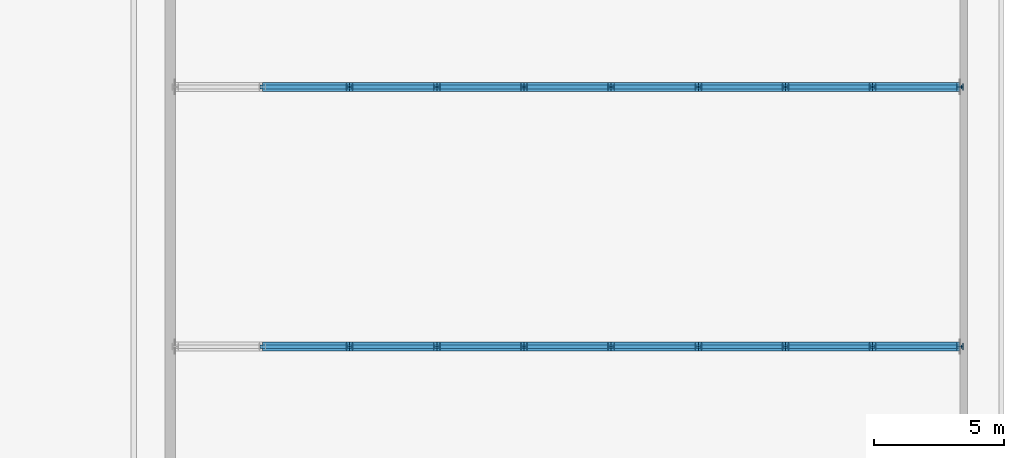
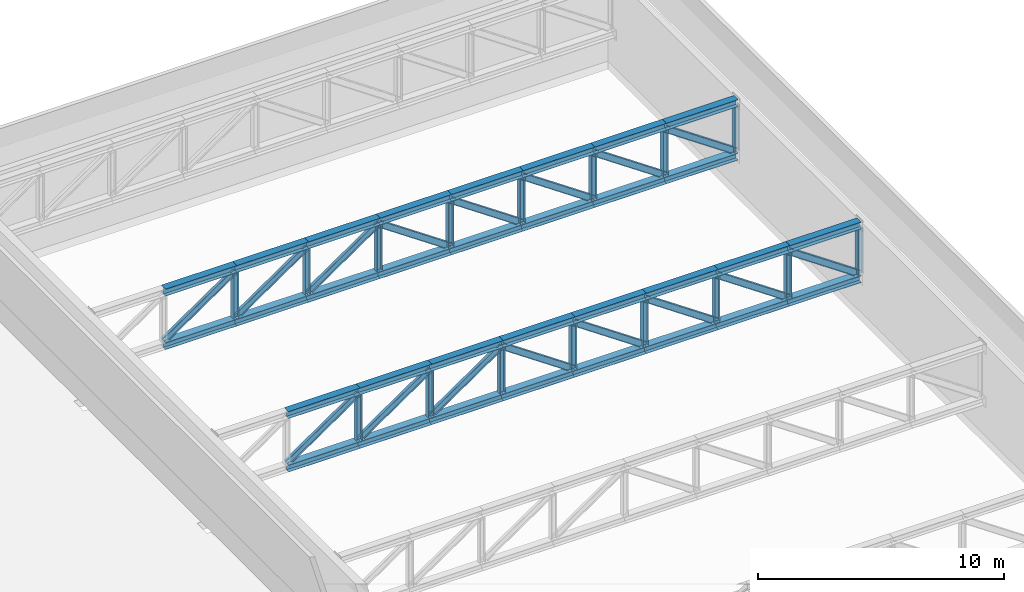
# One storey, part 12 of 31: 64 members.
"""IFC4 building model written with IfcOpenShell, lengths in metres."""

from ifc_helpers import new_model, si_unit, direction, frame, origin, origin_2d, place, context, subcontext, project, spatial, i_section, extrude, material, material_profile, profile_set, type_object, element, save


model = new_model("IFC4")

# Units and contexts
model_context = context("Model", 3, precision=1e-05, world=origin(), true_north=direction((0.0, 1.0)))
body_context = subcontext(model_context, "Body", "Model", "MODEL_VIEW")
ifc_project = project(units=[si_unit("LENGTHUNIT", "METRE"), si_unit("AREAUNIT", "SQUARE_METRE"), si_unit("VOLUMEUNIT", "CUBIC_METRE"), si_unit("PLANEANGLEUNIT", "RADIAN"), si_unit("MASSUNIT", "GRAM", prefix="KILO")], contexts=[model_context])

# Site, building, storey
site_placement = place(None, origin())
site = spatial("IfcSite", under=ifc_project, at=site_placement, CompositionType="ELEMENT")
building_placement = place(site_placement, origin())
building = spatial("IfcBuilding", under=site, at=building_placement, Name="Jabali Bay Hotel Tower and Convention Centre", CompositionType="ELEMENT")
storey_placement = place(building_placement, frame((0.0, 0.0, 25.39990234375)))
storey = spatial("IfcBuildingStorey", under=building, at=storey_placement, Name="L04", CompositionType="ELEMENT", Elevation=25.39990234375)

# Members
ifc_material = material(Name="Steel Q355B", Category="steel")
ifc_material_profile_1 = material_profile(ifc_material, i_section(OverallWidth=0.35009765625, OverallDepth=0.35009765625, WebThickness=0.011962890625, FlangeThickness=0.01904296875, at=origin_2d()), Name="HW350x350x12x19")
ifc_profile_set_1 = profile_set([ifc_material_profile_1], Name="Steel Q355B")
member_type_1 = type_object("IfcMemberType", Name="CC Roof Truss Chord HW350x350x12x19", PredefinedType="CHORD", material=ifc_profile_set_1)
for number, where, z_axis, x_axis, name in (
    (1, (224.255615234375, 90.0, 4.3251953125), (1.0, 0.0, 0.0), (0.0, 1.0, 0.0), "CC roof truss P3 top chord 2"),
    (2, (224.255615234375, 90.0, 1.675048828125), (1.0, 0.0, 0.0), (0.0, 1.0, 0.0), "CC roof truss P3 bottom chord 2"),
    (3, (227.611083984375, 90.0, 4.3251953125), (1.0, 0.0, 0.0), (0.0, 1.0, 0.0), "CC roof truss P3 top chord 3"),
    (4, (227.611083984375, 90.0, 1.675048828125), (1.0, 0.0, 0.0), (0.0, 1.0, 0.0), "CC roof truss P3 bottom chord 3"),
):
    element("IfcMember", number, at=place(storey_placement, frame(where, z_axis=z_axis, x_axis=x_axis)), inside=storey, type_object=member_type_1, Name=name, PredefinedType="CHORD", context=body_context, shape_type="SweptSolid", body=[
        extrude(i_section(OverallWidth=0.35009765625, OverallDepth=0.35009765625, WebThickness=0.011962890625, FlangeThickness=0.01904296875, at=origin_2d()), origin(), (0.0, 0.0, 1.0), 3.35546875),
    ])
for number, where, z_axis, x_axis, name in (
    (5, (230.966552734375, 90.0, 4.3251953125), (1.0, 0.0, 0.0), (0.0, 1.0, 0.0), "CC roof truss P3 top chord 4"),
    (6, (230.966552734375, 90.0, 1.675048828125), (1.0, 0.0, 0.0), (0.0, 1.0, 0.0), "CC roof truss P3 bottom chord 4"),
):
    element("IfcMember", number, at=place(storey_placement, frame(where, z_axis=z_axis, x_axis=x_axis)), inside=storey, type_object=member_type_1, Name=name, PredefinedType="CHORD", context=body_context, shape_type="SweptSolid", body=[
        extrude(i_section(OverallWidth=0.35009765625, OverallDepth=0.35009765625, WebThickness=0.011962890625, FlangeThickness=0.01904296875, at=origin_2d()), origin(), (0.0, 0.0, 1.0), 3.355712890625),
    ])
for number, where, z_axis, x_axis, name in (
    (7, (234.322265625, 90.0, 4.3251953125), (1.0, 0.0, 0.0), (0.0, 1.0, 0.0), "CC roof truss P3 top chord 5"),
    (8, (234.322265625, 90.0, 1.675048828125), (1.0, 0.0, 0.0), (0.0, 1.0, 0.0), "CC roof truss P3 bottom chord 5"),
):
    element("IfcMember", number, at=place(storey_placement, frame(where, z_axis=z_axis, x_axis=x_axis)), inside=storey, type_object=member_type_1, Name=name, PredefinedType="CHORD", context=body_context, shape_type="SweptSolid", body=[
        extrude(i_section(OverallWidth=0.35009765625, OverallDepth=0.35009765625, WebThickness=0.011962890625, FlangeThickness=0.01904296875, at=origin_2d()), origin(), (0.0, 0.0, 1.0), 3.35546875),
    ])
for number, where, z_axis, x_axis, name in (
    (9, (237.677734375, 90.0, 4.3251953125), (1.0, 0.0, 0.0), (0.0, 1.0, 0.0), "CC roof truss P3 top chord 6"),
    (10, (237.677734375, 90.0, 1.675048828125), (1.0, 0.0, 0.0), (0.0, 1.0, 0.0), "CC roof truss P3 bottom chord 6"),
):
    element("IfcMember", number, at=place(storey_placement, frame(where, z_axis=z_axis, x_axis=x_axis)), inside=storey, type_object=member_type_1, Name=name, PredefinedType="CHORD", context=body_context, shape_type="SweptSolid", body=[
        extrude(i_section(OverallWidth=0.35009765625, OverallDepth=0.35009765625, WebThickness=0.011962890625, FlangeThickness=0.01904296875, at=origin_2d()), origin(), (0.0, 0.0, 1.0), 3.355712890625),
    ])
for number, where, z_axis, x_axis, name in (
    (11, (241.033447265625, 90.0, 4.3251953125), (1.0, 0.0, 0.0), (0.0, 1.0, 0.0), "CC roof truss P3 top chord 7"),
    (12, (241.033447265625, 90.0, 1.675048828125), (1.0, 0.0, 0.0), (0.0, 1.0, 0.0), "CC roof truss P3 bottom chord 7"),
    (13, (244.388916015625, 90.0, 4.3251953125), (1.0, 0.0, 0.0), (0.0, 1.0, 0.0), "CC roof truss P3 top chord 8"),
    (14, (244.388916015625, 90.0, 1.675048828125), (1.0, 0.0, 0.0), (0.0, 1.0, 0.0), "CC roof truss P3 bottom chord 8"),
):
    element("IfcMember", number, at=place(storey_placement, frame(where, z_axis=z_axis, x_axis=x_axis)), inside=storey, type_object=member_type_1, Name=name, PredefinedType="CHORD", context=body_context, shape_type="SweptSolid", body=[
        extrude(i_section(OverallWidth=0.35009765625, OverallDepth=0.35009765625, WebThickness=0.011962890625, FlangeThickness=0.01904296875, at=origin_2d()), origin(), (0.0, 0.0, 1.0), 3.35546875),
    ])
for number, where, z_axis, x_axis, name in (
    (15, (247.744384765625, 90.0, 4.3251953125), (1.0, 0.0, 0.0), (0.0, 1.0, 0.0), "CC roof truss P3 top chord 9"),
    (16, (247.744384765625, 90.0, 1.675048828125), (1.0, 0.0, 0.0), (0.0, 1.0, 0.0), "CC roof truss P3 bottom chord 9"),
):
    element("IfcMember", number, at=place(storey_placement, frame(where, z_axis=z_axis, x_axis=x_axis)), inside=storey, type_object=member_type_1, Name=name, PredefinedType="CHORD", context=body_context, shape_type="SweptSolid", body=[
        extrude(i_section(OverallWidth=0.35009765625, OverallDepth=0.35009765625, WebThickness=0.011962890625, FlangeThickness=0.01904296875, at=origin_2d()), origin(), (0.0, 0.0, 1.0), 3.355712890625),
    ])
for number, where, z_axis, x_axis, name in (
    (17, (224.255615234375, 100.0, 4.3251953125), (1.0, 0.0, 0.0), (0.0, 1.0, 0.0), "CC roof truss P4 top chord 2"),
    (18, (224.255615234375, 100.0, 1.675048828125), (1.0, 0.0, 0.0), (0.0, 1.0, 0.0), "CC roof truss P4 bottom chord 2"),
    (19, (227.611083984375, 100.0, 4.3251953125), (1.0, 0.0, 0.0), (0.0, 1.0, 0.0), "CC roof truss P4 top chord 3"),
    (20, (227.611083984375, 100.0, 1.675048828125), (1.0, 0.0, 0.0), (0.0, 1.0, 0.0), "CC roof truss P4 bottom chord 3"),
):
    element("IfcMember", number, at=place(storey_placement, frame(where, z_axis=z_axis, x_axis=x_axis)), inside=storey, type_object=member_type_1, Name=name, PredefinedType="CHORD", context=body_context, shape_type="SweptSolid", body=[
        extrude(i_section(OverallWidth=0.35009765625, OverallDepth=0.35009765625, WebThickness=0.011962890625, FlangeThickness=0.01904296875, at=origin_2d()), origin(), (0.0, 0.0, 1.0), 3.35546875),
    ])
for number, where, z_axis, x_axis, name in (
    (21, (230.966552734375, 100.0, 4.3251953125), (1.0, 0.0, 0.0), (0.0, 1.0, 0.0), "CC roof truss P4 top chord 4"),
    (22, (230.966552734375, 100.0, 1.675048828125), (1.0, 0.0, 0.0), (0.0, 1.0, 0.0), "CC roof truss P4 bottom chord 4"),
):
    element("IfcMember", number, at=place(storey_placement, frame(where, z_axis=z_axis, x_axis=x_axis)), inside=storey, type_object=member_type_1, Name=name, PredefinedType="CHORD", context=body_context, shape_type="SweptSolid", body=[
        extrude(i_section(OverallWidth=0.35009765625, OverallDepth=0.35009765625, WebThickness=0.011962890625, FlangeThickness=0.01904296875, at=origin_2d()), origin(), (0.0, 0.0, 1.0), 3.355712890625),
    ])
for number, where, z_axis, x_axis, name in (
    (23, (234.322265625, 100.0, 4.3251953125), (1.0, 0.0, 0.0), (0.0, 1.0, 0.0), "CC roof truss P4 top chord 5"),
    (24, (234.322265625, 100.0, 1.675048828125), (1.0, 0.0, 0.0), (0.0, 1.0, 0.0), "CC roof truss P4 bottom chord 5"),
):
    element("IfcMember", number, at=place(storey_placement, frame(where, z_axis=z_axis, x_axis=x_axis)), inside=storey, type_object=member_type_1, Name=name, PredefinedType="CHORD", context=body_context, shape_type="SweptSolid", body=[
        extrude(i_section(OverallWidth=0.35009765625, OverallDepth=0.35009765625, WebThickness=0.011962890625, FlangeThickness=0.01904296875, at=origin_2d()), origin(), (0.0, 0.0, 1.0), 3.35546875),
    ])
for number, where, z_axis, x_axis, name in (
    (25, (237.677734375, 100.0, 4.3251953125), (1.0, 0.0, 0.0), (0.0, 1.0, 0.0), "CC roof truss P4 top chord 6"),
    (26, (237.677734375, 100.0, 1.675048828125), (1.0, 0.0, 0.0), (0.0, 1.0, 0.0), "CC roof truss P4 bottom chord 6"),
):
    element("IfcMember", number, at=place(storey_placement, frame(where, z_axis=z_axis, x_axis=x_axis)), inside=storey, type_object=member_type_1, Name=name, PredefinedType="CHORD", context=body_context, shape_type="SweptSolid", body=[
        extrude(i_section(OverallWidth=0.35009765625, OverallDepth=0.35009765625, WebThickness=0.011962890625, FlangeThickness=0.01904296875, at=origin_2d()), origin(), (0.0, 0.0, 1.0), 3.355712890625),
    ])
for number, where, z_axis, x_axis, name in (
    (27, (241.033447265625, 100.0, 4.3251953125), (1.0, 0.0, 0.0), (0.0, 1.0, 0.0), "CC roof truss P4 top chord 7"),
    (28, (241.033447265625, 100.0, 1.675048828125), (1.0, 0.0, 0.0), (0.0, 1.0, 0.0), "CC roof truss P4 bottom chord 7"),
    (29, (244.388916015625, 100.0, 4.3251953125), (1.0, 0.0, 0.0), (0.0, 1.0, 0.0), "CC roof truss P4 top chord 8"),
    (30, (244.388916015625, 100.0, 1.675048828125), (1.0, 0.0, 0.0), (0.0, 1.0, 0.0), "CC roof truss P4 bottom chord 8"),
):
    element("IfcMember", number, at=place(storey_placement, frame(where, z_axis=z_axis, x_axis=x_axis)), inside=storey, type_object=member_type_1, Name=name, PredefinedType="CHORD", context=body_context, shape_type="SweptSolid", body=[
        extrude(i_section(OverallWidth=0.35009765625, OverallDepth=0.35009765625, WebThickness=0.011962890625, FlangeThickness=0.01904296875, at=origin_2d()), origin(), (0.0, 0.0, 1.0), 3.35546875),
    ])
for number, where, z_axis, x_axis, name in (
    (31, (247.744384765625, 100.0, 4.3251953125), (1.0, 0.0, 0.0), (0.0, 1.0, 0.0), "CC roof truss P4 top chord 9"),
    (32, (247.744384765625, 100.0, 1.675048828125), (1.0, 0.0, 0.0), (0.0, 1.0, 0.0), "CC roof truss P4 bottom chord 9"),
):
    element("IfcMember", number, at=place(storey_placement, frame(where, z_axis=z_axis, x_axis=x_axis)), inside=storey, type_object=member_type_1, Name=name, PredefinedType="CHORD", context=body_context, shape_type="SweptSolid", body=[
        extrude(i_section(OverallWidth=0.35009765625, OverallDepth=0.35009765625, WebThickness=0.011962890625, FlangeThickness=0.01904296875, at=origin_2d()), origin(), (0.0, 0.0, 1.0), 3.355712890625),
    ])
ifc_material_profile_2 = material_profile(ifc_material, i_section(OverallWidth=0.14990234375, OverallDepth=0.300048828125, WebThickness=0.006591796875, FlangeThickness=0.009033203125, at=origin_2d()), Name="HN300x150x6.5x9")
ifc_profile_set_2 = profile_set([ifc_material_profile_2], Name="Steel Q355B")
member_type_2 = type_object("IfcMemberType", Name="CC Roof Truss Diagonal HN300x150x6.5x9", PredefinedType="BRACE", material=ifc_profile_set_2)
for number, where, z_axis, x_axis, name in (
    (33, (224.255615234375, 90.0, 1.85009765625), (0.8248256078, 0.0, 0.565387227232), (0.0, 1.0, 0.0), "CC roof truss P3 diagonal 2"),
    (34, (227.611083984375, 90.0, 1.85009765625), (0.8248256078, 0.0, 0.565387227232), (0.0, 1.0, 0.0), "CC roof truss P3 diagonal 3"),
):
    element("IfcMember", number, at=place(storey_placement, frame(where, z_axis=z_axis, x_axis=x_axis)), inside=storey, type_object=member_type_2, Name=name, PredefinedType="BRACE", context=body_context, shape_type="SweptSolid", body=[
        extrude(i_section(OverallWidth=0.14990234375, OverallDepth=0.300048828125, WebThickness=0.006591796875, FlangeThickness=0.009033203125, at=origin_2d()), origin(), (0.0, 0.0, 1.0), 4.068115234375),
    ])
member_1_placement = place(storey_placement, frame((230.966552734375, 90.0, 1.85009765625), z_axis=(0.824844790455, 0.0, 0.565359241243), x_axis=(0.0, 1.0, 0.0)))
element("IfcMember", 35, at=member_1_placement, inside=storey, type_object=member_type_2, Name="CC roof truss P3 diagonal 4", PredefinedType="BRACE", context=body_context, shape_type="SweptSolid", body=[
    extrude(i_section(OverallWidth=0.14990234375, OverallDepth=0.300048828125, WebThickness=0.006591796875, FlangeThickness=0.009033203125, at=origin_2d()), origin(), (0.0, 0.0, 1.0), 4.068359375),
])
member_2_placement = place(storey_placement, frame((237.677734375, 90.0, 1.85009765625), z_axis=(-0.8248256078, 0.0, 0.565387227232), x_axis=(0.0, -1.0, 0.0)))
element("IfcMember", 36, at=member_2_placement, inside=storey, type_object=member_type_2, Name="CC roof truss P3 diagonal 5", PredefinedType="BRACE", context=body_context, shape_type="SweptSolid", body=[
    extrude(i_section(OverallWidth=0.14990234375, OverallDepth=0.300048828125, WebThickness=0.006591796875, FlangeThickness=0.009033203125, at=origin_2d()), origin(), (0.0, 0.0, 1.0), 4.068115234375),
])
member_3_placement = place(storey_placement, frame((241.033447265625, 90.0, 1.85009765625), z_axis=(-0.824844790455, 0.0, 0.565359241243), x_axis=(0.0, -1.0, 0.0)))
element("IfcMember", 37, at=member_3_placement, inside=storey, type_object=member_type_2, Name="CC roof truss P3 diagonal 6", PredefinedType="BRACE", context=body_context, shape_type="SweptSolid", body=[
    extrude(i_section(OverallWidth=0.14990234375, OverallDepth=0.300048828125, WebThickness=0.006591796875, FlangeThickness=0.009033203125, at=origin_2d()), origin(), (0.0, 0.0, 1.0), 4.068359375),
])
for number, where, z_axis, x_axis, name in (
    (38, (244.388916015625, 90.0, 1.85009765625), (-0.8248256078, 0.0, 0.565387227232), (0.0, -1.0, 0.0), "CC roof truss P3 diagonal 7"),
    (39, (247.744384765625, 90.0, 1.85009765625), (-0.8248256078, 0.0, 0.565387227232), (0.0, -1.0, 0.0), "CC roof truss P3 diagonal 8"),
):
    element("IfcMember", number, at=place(storey_placement, frame(where, z_axis=z_axis, x_axis=x_axis)), inside=storey, type_object=member_type_2, Name=name, PredefinedType="BRACE", context=body_context, shape_type="SweptSolid", body=[
        extrude(i_section(OverallWidth=0.14990234375, OverallDepth=0.300048828125, WebThickness=0.006591796875, FlangeThickness=0.009033203125, at=origin_2d()), origin(), (0.0, 0.0, 1.0), 4.068115234375),
    ])
member_4_placement = place(storey_placement, frame((251.10009765625, 90.0, 1.85009765625), z_axis=(-0.824844790455, 0.0, 0.565359241243), x_axis=(0.0, -1.0, 0.0)))
element("IfcMember", 40, at=member_4_placement, inside=storey, type_object=member_type_2, Name="CC roof truss P3 diagonal 9", PredefinedType="BRACE", context=body_context, shape_type="SweptSolid", body=[
    extrude(i_section(OverallWidth=0.14990234375, OverallDepth=0.300048828125, WebThickness=0.006591796875, FlangeThickness=0.009033203125, at=origin_2d()), origin(), (0.0, 0.0, 1.0), 4.068359375),
])
for number, where, z_axis, x_axis, name in (
    (41, (224.255615234375, 100.0, 1.85009765625), (0.8248256078, 0.0, 0.565387227232), (0.0, 1.0, 0.0), "CC roof truss P4 diagonal 2"),
    (42, (227.611083984375, 100.0, 1.85009765625), (0.8248256078, 0.0, 0.565387227232), (0.0, 1.0, 0.0), "CC roof truss P4 diagonal 3"),
):
    element("IfcMember", number, at=place(storey_placement, frame(where, z_axis=z_axis, x_axis=x_axis)), inside=storey, type_object=member_type_2, Name=name, PredefinedType="BRACE", context=body_context, shape_type="SweptSolid", body=[
        extrude(i_section(OverallWidth=0.14990234375, OverallDepth=0.300048828125, WebThickness=0.006591796875, FlangeThickness=0.009033203125, at=origin_2d()), origin(), (0.0, 0.0, 1.0), 4.068115234375),
    ])
member_5_placement = place(storey_placement, frame((230.966552734375, 100.0, 1.85009765625), z_axis=(0.824844790455, 0.0, 0.565359241243), x_axis=(0.0, 1.0, 0.0)))
element("IfcMember", 43, at=member_5_placement, inside=storey, type_object=member_type_2, Name="CC roof truss P4 diagonal 4", PredefinedType="BRACE", context=body_context, shape_type="SweptSolid", body=[
    extrude(i_section(OverallWidth=0.14990234375, OverallDepth=0.300048828125, WebThickness=0.006591796875, FlangeThickness=0.009033203125, at=origin_2d()), origin(), (0.0, 0.0, 1.0), 4.068359375),
])
member_6_placement = place(storey_placement, frame((237.677734375, 100.0, 1.85009765625), z_axis=(-0.8248256078, 0.0, 0.565387227232), x_axis=(0.0, -1.0, 0.0)))
element("IfcMember", 44, at=member_6_placement, inside=storey, type_object=member_type_2, Name="CC roof truss P4 diagonal 5", PredefinedType="BRACE", context=body_context, shape_type="SweptSolid", body=[
    extrude(i_section(OverallWidth=0.14990234375, OverallDepth=0.300048828125, WebThickness=0.006591796875, FlangeThickness=0.009033203125, at=origin_2d()), origin(), (0.0, 0.0, 1.0), 4.068115234375),
])
member_7_placement = place(storey_placement, frame((241.033447265625, 100.0, 1.85009765625), z_axis=(-0.824844790455, 0.0, 0.565359241243), x_axis=(0.0, -1.0, 0.0)))
element("IfcMember", 45, at=member_7_placement, inside=storey, type_object=member_type_2, Name="CC roof truss P4 diagonal 6", PredefinedType="BRACE", context=body_context, shape_type="SweptSolid", body=[
    extrude(i_section(OverallWidth=0.14990234375, OverallDepth=0.300048828125, WebThickness=0.006591796875, FlangeThickness=0.009033203125, at=origin_2d()), origin(), (0.0, 0.0, 1.0), 4.068359375),
])
for number, where, z_axis, x_axis, name in (
    (46, (244.388916015625, 100.0, 1.85009765625), (-0.8248256078, 0.0, 0.565387227232), (0.0, -1.0, 0.0), "CC roof truss P4 diagonal 7"),
    (47, (247.744384765625, 100.0, 1.85009765625), (-0.8248256078, 0.0, 0.565387227232), (0.0, -1.0, 0.0), "CC roof truss P4 diagonal 8"),
):
    element("IfcMember", number, at=place(storey_placement, frame(where, z_axis=z_axis, x_axis=x_axis)), inside=storey, type_object=member_type_2, Name=name, PredefinedType="BRACE", context=body_context, shape_type="SweptSolid", body=[
        extrude(i_section(OverallWidth=0.14990234375, OverallDepth=0.300048828125, WebThickness=0.006591796875, FlangeThickness=0.009033203125, at=origin_2d()), origin(), (0.0, 0.0, 1.0), 4.068115234375),
    ])
member_8_placement = place(storey_placement, frame((251.10009765625, 100.0, 1.85009765625), z_axis=(-0.824844790455, 0.0, 0.565359241243), x_axis=(0.0, -1.0, 0.0)))
element("IfcMember", 48, at=member_8_placement, inside=storey, type_object=member_type_2, Name="CC roof truss P4 diagonal 9", PredefinedType="BRACE", context=body_context, shape_type="SweptSolid", body=[
    extrude(i_section(OverallWidth=0.14990234375, OverallDepth=0.300048828125, WebThickness=0.006591796875, FlangeThickness=0.009033203125, at=origin_2d()), origin(), (0.0, 0.0, 1.0), 4.068359375),
])
ifc_material_profile_3 = material_profile(ifc_material, i_section(OverallWidth=0.25, OverallDepth=0.25, WebThickness=0.009033203125, FlangeThickness=0.013916015625, at=origin_2d()), Name="HW250x250x9x14")
ifc_profile_set_3 = profile_set([ifc_material_profile_3], Name="Steel Q355B")
member_type_3 = type_object("IfcMemberType", Name="CC Roof Truss Post HW250x250x9x14", PredefinedType="POST", material=ifc_profile_set_3)
for number, where, z_axis, x_axis, name in (
    (49, (227.611083984375, 90.0, 1.85009765625), (0.0, 0.0, 1.0), (0.0, 1.0, 0.0), "CC roof truss P3 post 3"),
    (50, (230.966552734375, 90.0, 1.85009765625), (0.0, 0.0, 1.0), (0.0, 1.0, 0.0), "CC roof truss P3 post 4"),
    (51, (234.322265625, 90.0, 1.85009765625), (0.0, 0.0, 1.0), (0.0, 1.0, 0.0), "CC roof truss P3 post 5"),
    (52, (237.677734375, 90.0, 1.85009765625), (0.0, 0.0, 1.0), (0.0, 1.0, 0.0), "CC roof truss P3 post 6"),
    (53, (241.033447265625, 90.0, 1.85009765625), (0.0, 0.0, 1.0), (0.0, 1.0, 0.0), "CC roof truss P3 post 7"),
    (54, (244.388916015625, 90.0, 1.85009765625), (0.0, 0.0, 1.0), (0.0, 1.0, 0.0), "CC roof truss P3 post 8"),
    (55, (247.744384765625, 90.0, 1.85009765625), (0.0, 0.0, 1.0), (0.0, 1.0, 0.0), "CC roof truss P3 post 9"),
    (56, (251.10009765625, 90.0, 1.85009765625), (0.0, 0.0, 1.0), (0.0, 1.0, 0.0), "CC roof truss P3 post 10"),
    (57, (227.611083984375, 100.0, 1.85009765625), (0.0, 0.0, 1.0), (0.0, 1.0, 0.0), "CC roof truss P4 post 3"),
    (58, (230.966552734375, 100.0, 1.85009765625), (0.0, 0.0, 1.0), (0.0, 1.0, 0.0), "CC roof truss P4 post 4"),
    (59, (234.322265625, 100.0, 1.85009765625), (0.0, 0.0, 1.0), (0.0, 1.0, 0.0), "CC roof truss P4 post 5"),
    (60, (237.677734375, 100.0, 1.85009765625), (0.0, 0.0, 1.0), (0.0, 1.0, 0.0), "CC roof truss P4 post 6"),
    (61, (241.033447265625, 100.0, 1.85009765625), (0.0, 0.0, 1.0), (0.0, 1.0, 0.0), "CC roof truss P4 post 7"),
    (62, (244.388916015625, 100.0, 1.85009765625), (0.0, 0.0, 1.0), (0.0, 1.0, 0.0), "CC roof truss P4 post 8"),
    (63, (247.744384765625, 100.0, 1.85009765625), (0.0, 0.0, 1.0), (0.0, 1.0, 0.0), "CC roof truss P4 post 9"),
    (64, (251.10009765625, 100.0, 1.85009765625), (0.0, 0.0, 1.0), (0.0, 1.0, 0.0), "CC roof truss P4 post 10"),
):
    element("IfcMember", number, at=place(storey_placement, frame(where, z_axis=z_axis, x_axis=x_axis)), inside=storey, type_object=member_type_3, Name=name, PredefinedType="POST", context=body_context, shape_type="SweptSolid", body=[
        extrude(i_section(OverallWidth=0.25, OverallDepth=0.25, WebThickness=0.009033203125, FlangeThickness=0.013916015625, at=origin_2d()), origin(), (0.0, 0.0, 1.0), 2.300048828125),
    ])

save(model, "model.ifc")
